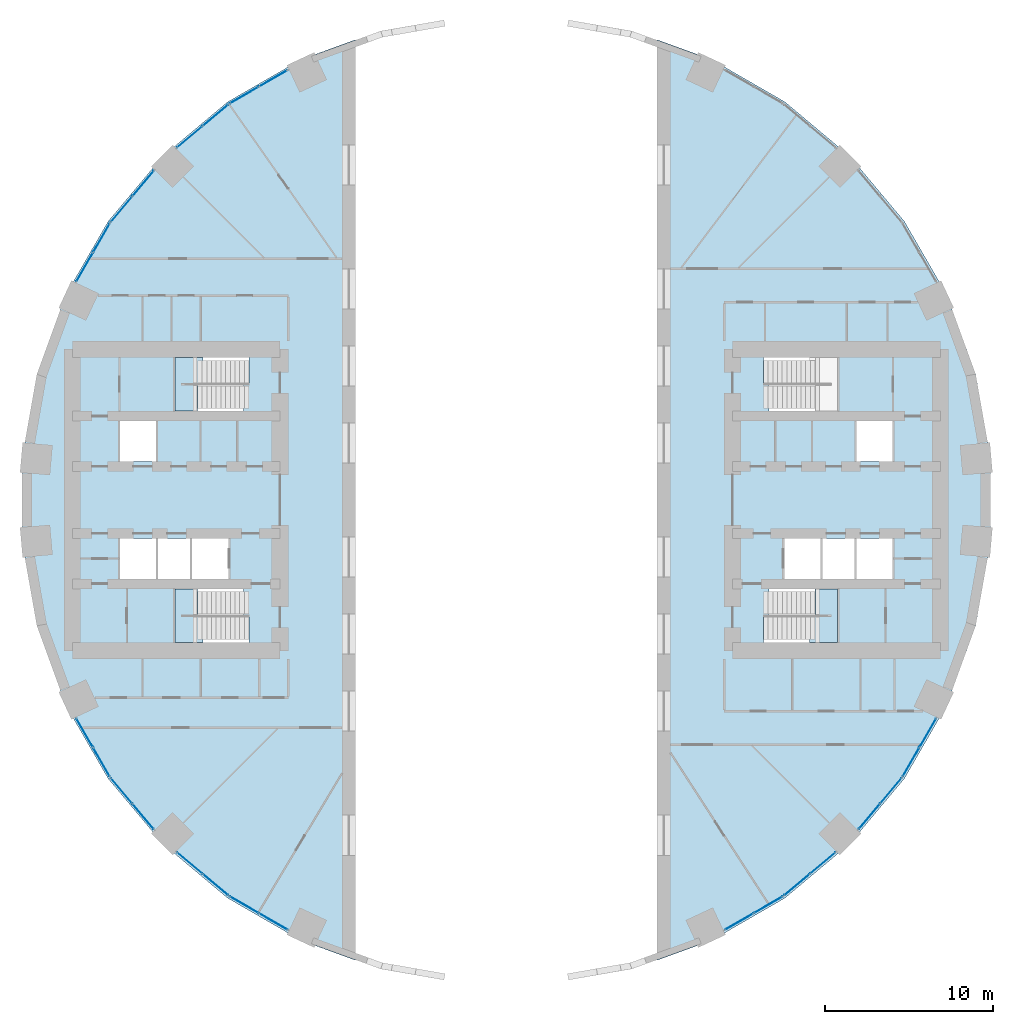
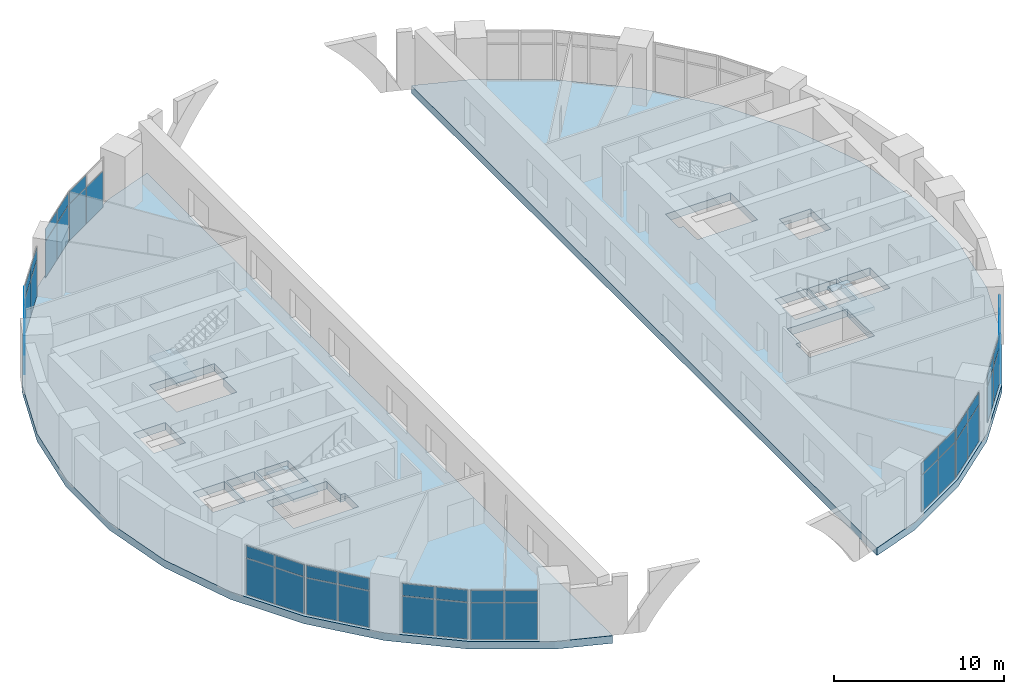
# One storey, part 6 of 13: 47 plates, 5 slabs, 15 elements without a shape of their own.
"""IFC4 building model written with IfcOpenShell, lengths in metres."""

from ifc_helpers import new_model, si_unit, direction, frame, origin, origin_2d, place, context, subcontext, project, spatial, polyline, rectangle, outline, extrude, material, layer, layer_set, type_object, element, aggregate, save


model = new_model("IFC4")

# Units and contexts
model_context = context("Model", 3, precision=1e-05, world=origin(), true_north=direction((0.0, 1.0)))
body_context = subcontext(model_context, "Body", "Model", "MODEL_VIEW")
ifc_project = project(units=[si_unit("LENGTHUNIT", "METRE"), si_unit("AREAUNIT", "SQUARE_METRE"), si_unit("VOLUMEUNIT", "CUBIC_METRE"), si_unit("PLANEANGLEUNIT", "RADIAN"), si_unit("MASSUNIT", "GRAM", prefix="KILO")], contexts=[model_context])

# Site, building, storey
site_placement = place(None, origin())
site = spatial("IfcSite", under=ifc_project, at=site_placement, CompositionType="ELEMENT")
building_placement = place(site_placement, origin())
building = spatial("IfcBuilding", under=site, at=building_placement, Name="Saqina Gate Tower", CompositionType="ELEMENT")
storey_placement = place(building_placement, frame((0.0, 0.0, 13.39990234375)))
storey = spatial("IfcBuildingStorey", under=building, at=storey_placement, Name="L03", CompositionType="ELEMENT", Elevation=13.39990234375)

# Curtain wall, plates
ifc_material_1 = material(Name="Aluminium glazing", Category="aluminium")
ifc_layer_1 = layer(ifc_material_1, 0.159912109375)
ifc_layer_set_1 = layer_set([ifc_layer_1], Name="CWT-1")
curtain_wall_type = type_object("IfcCurtainWallType", Name="CWT-1", PredefinedType="NOTDEFINED", material=ifc_layer_set_1)
curtain_wall_1_placement = place(storey_placement, origin())
curtain_wall_1 = element("IfcCurtainWall", 1, at=curtain_wall_1_placement, inside=storey, type_object=curtain_wall_type, Name="Podium shopfront facet 12", PredefinedType="NOTDEFINED")
ifc_material_2 = material(Name="Glass", Category="glass")
ifc_layer_2 = layer(ifc_material_2, 0.028076171875)
ifc_layer_set_2 = layer_set([ifc_layer_2], Name="CWT-1P")
plate_type = type_object("IfcPlateType", Name="CWT-1P", PredefinedType="CURTAIN_PANEL", material=ifc_layer_set_2)
plate_1_placement = place(storey_placement, frame((-13.90283203125, 25.158935546875, 0.06005859375), z_axis=(0.0, 0.0, 1.0), x_axis=(-0.866017381415, -0.500013894893, 0.0)))
plate_1 = element("IfcPlate", 2, at=plate_1_placement, type_object=plate_type, Name="CW1-12 panel 1.1", PredefinedType="CURTAIN_PANEL", context=body_context, shape_type="SweptSolid", body=[
    extrude(rectangle(XDim=1.944580078125, YDim=0.028076171875, at=origin_2d()), origin(), (0.0, 0.0, 1.0), 2.610107421875),
])
plate_2_placement = place(storey_placement, frame((-15.638671875, 24.15673828125, 0.06005859375), z_axis=(0.0, 0.0, 1.0), x_axis=(-0.866017381415, -0.500013894893, 0.0)))
plate_2 = element("IfcPlate", 3, at=plate_2_placement, type_object=plate_type, Name="CW1-12 panel 2.1", PredefinedType="CURTAIN_PANEL", context=body_context, shape_type="SweptSolid", body=[
    extrude(rectangle(XDim=1.944580078125, YDim=0.028076171875, at=origin_2d()), origin(), (0.0, 0.0, 1.0), 2.610107421875),
])
plate_3_placement = place(storey_placement, frame((-15.638671875, 24.15673828125, 2.72998046875), z_axis=(0.0, 0.0, 1.0), x_axis=(-0.866017381415, -0.500013894893, 0.0)))
plate_3 = element("IfcPlate", 4, at=plate_3_placement, type_object=plate_type, Name="CW1-12 panel 2.2", PredefinedType="CURTAIN_PANEL", context=body_context, shape_type="SweptSolid", body=[
    extrude(rectangle(XDim=1.944580078125, YDim=0.028076171875, at=origin_2d()), origin(), (0.0, 0.0, 1.0), 0.860107421875),
])
aggregate(curtain_wall_1, [plate_1, plate_2, plate_3])

curtain_wall_2_placement = place(storey_placement, origin())
curtain_wall_2 = element("IfcCurtainWall", 5, at=curtain_wall_2_placement, inside=storey, type_object=curtain_wall_type, Name="Podium shopfront facet 13", PredefinedType="NOTDEFINED")
plate_4_placement = place(storey_placement, frame((-17.35107421875, 22.957763671875, 0.06005859375), z_axis=(0.0, 0.0, 1.0), x_axis=(-0.766051396473, -0.642779322911, 0.0)))
plate_4 = element("IfcPlate", 6, at=plate_4_placement, type_object=plate_type, Name="CW1-13 panel 1.1", PredefinedType="CURTAIN_PANEL", context=body_context, shape_type="SweptSolid", body=[
    extrude(rectangle(XDim=1.944580078125, YDim=0.028076171875, at=origin_2d()), origin(), (0.0, 0.0, 1.0), 2.610107421875),
])
plate_5_placement = place(storey_placement, frame((-17.35107421875, 22.957763671875, 2.72998046875), z_axis=(0.0, 0.0, 1.0), x_axis=(-0.766051396473, -0.642779322911, 0.0)))
plate_5 = element("IfcPlate", 7, at=plate_5_placement, type_object=plate_type, Name="CW1-13 panel 1.2", PredefinedType="CURTAIN_PANEL", context=body_context, shape_type="SweptSolid", body=[
    extrude(rectangle(XDim=1.944580078125, YDim=0.028076171875, at=origin_2d()), origin(), (0.0, 0.0, 1.0), 0.860107421875),
])
plate_6_placement = place(storey_placement, frame((-18.88671875, 21.669189453125, 0.06005859375), z_axis=(0.0, 0.0, 1.0), x_axis=(-0.766051396473, -0.642779322911, 0.0)))
plate_6 = element("IfcPlate", 8, at=plate_6_placement, type_object=plate_type, Name="CW1-13 panel 2.1", PredefinedType="CURTAIN_PANEL", context=body_context, shape_type="SweptSolid", body=[
    extrude(rectangle(XDim=1.944580078125, YDim=0.028076171875, at=origin_2d()), origin(), (0.0, 0.0, 1.0), 2.610107421875),
])
plate_7_placement = place(storey_placement, frame((-18.88671875, 21.669189453125, 2.72998046875), z_axis=(0.0, 0.0, 1.0), x_axis=(-0.766051396473, -0.642779322911, 0.0)))
plate_7 = element("IfcPlate", 9, at=plate_7_placement, type_object=plate_type, Name="CW1-13 panel 2.2", PredefinedType="CURTAIN_PANEL", context=body_context, shape_type="SweptSolid", body=[
    extrude(rectangle(XDim=1.944580078125, YDim=0.028076171875, at=origin_2d()), origin(), (0.0, 0.0, 1.0), 0.860107421875),
])
aggregate(curtain_wall_2, [plate_4, plate_5, plate_6, plate_7])

curtain_wall_3_placement = place(storey_placement, origin())
curtain_wall_3 = element("IfcCurtainWall", 10, at=curtain_wall_3_placement, inside=storey, type_object=curtain_wall_type, Name="Podium shopfront facet 14", PredefinedType="NOTDEFINED")
plate_8_placement = place(storey_placement, frame((-21.669189453125, 18.88671875, 0.06005859375), z_axis=(0.0, 0.0, 1.0), x_axis=(-0.642779322911, -0.766051396473, 0.0)))
plate_8 = element("IfcPlate", 11, at=plate_8_placement, type_object=plate_type, Name="CW1-14 panel 1.1", PredefinedType="CURTAIN_PANEL", context=body_context, shape_type="SweptSolid", body=[
    extrude(rectangle(XDim=1.944580078125, YDim=0.028076171875, at=origin_2d()), origin(), (0.0, 0.0, 1.0), 2.610107421875),
])
plate_9_placement = place(storey_placement, frame((-21.669189453125, 18.88671875, 2.72998046875), z_axis=(0.0, 0.0, 1.0), x_axis=(-0.642779322911, -0.766051396473, 0.0)))
plate_9 = element("IfcPlate", 12, at=plate_9_placement, type_object=plate_type, Name="CW1-14 panel 1.2", PredefinedType="CURTAIN_PANEL", context=body_context, shape_type="SweptSolid", body=[
    extrude(rectangle(XDim=1.944580078125, YDim=0.028076171875, at=origin_2d()), origin(), (0.0, 0.0, 1.0), 0.860107421875),
])
plate_10_placement = place(storey_placement, frame((-22.957763671875, 17.35107421875, 0.06005859375), z_axis=(0.0, 0.0, 1.0), x_axis=(-0.642779322911, -0.766051396473, 0.0)))
plate_10 = element("IfcPlate", 13, at=plate_10_placement, type_object=plate_type, Name="CW1-14 panel 2.1", PredefinedType="CURTAIN_PANEL", context=body_context, shape_type="SweptSolid", body=[
    extrude(rectangle(XDim=1.944580078125, YDim=0.028076171875, at=origin_2d()), origin(), (0.0, 0.0, 1.0), 2.610107421875),
])
plate_11_placement = place(storey_placement, frame((-22.957763671875, 17.35107421875, 2.72998046875), z_axis=(0.0, 0.0, 1.0), x_axis=(-0.642779322911, -0.766051396473, 0.0)))
plate_11 = element("IfcPlate", 14, at=plate_11_placement, type_object=plate_type, Name="CW1-14 panel 2.2", PredefinedType="CURTAIN_PANEL", context=body_context, shape_type="SweptSolid", body=[
    extrude(rectangle(XDim=1.944580078125, YDim=0.028076171875, at=origin_2d()), origin(), (0.0, 0.0, 1.0), 0.860107421875),
])
aggregate(curtain_wall_3, [plate_8, plate_9, plate_10, plate_11])

curtain_wall_4_placement = place(storey_placement, origin())
curtain_wall_4 = element("IfcCurtainWall", 15, at=curtain_wall_4_placement, inside=storey, type_object=curtain_wall_type, Name="Podium shopfront facet 15", PredefinedType="NOTDEFINED")
plate_12_placement = place(storey_placement, frame((-24.15673828125, 15.638671875, 0.06005859375), z_axis=(0.0, 0.0, 1.0), x_axis=(-0.500013894893, -0.866017381415, 0.0)))
plate_12 = element("IfcPlate", 16, at=plate_12_placement, type_object=plate_type, Name="CW1-15 panel 1.1", PredefinedType="CURTAIN_PANEL", context=body_context, shape_type="SweptSolid", body=[
    extrude(rectangle(XDim=1.944580078125, YDim=0.028076171875, at=origin_2d()), origin(), (0.0, 0.0, 1.0), 2.610107421875),
])
plate_13_placement = place(storey_placement, frame((-24.15673828125, 15.638671875, 2.72998046875), z_axis=(0.0, 0.0, 1.0), x_axis=(-0.500013894893, -0.866017381415, 0.0)))
plate_13 = element("IfcPlate", 17, at=plate_13_placement, type_object=plate_type, Name="CW1-15 panel 1.2", PredefinedType="CURTAIN_PANEL", context=body_context, shape_type="SweptSolid", body=[
    extrude(rectangle(XDim=1.944580078125, YDim=0.028076171875, at=origin_2d()), origin(), (0.0, 0.0, 1.0), 0.860107421875),
])
plate_14_placement = place(storey_placement, frame((-25.158935546875, 13.90283203125, 0.06005859375), z_axis=(0.0, 0.0, 1.0), x_axis=(-0.500013894893, -0.866017381415, 0.0)))
plate_14 = element("IfcPlate", 18, at=plate_14_placement, type_object=plate_type, Name="CW1-15 panel 2.1", PredefinedType="CURTAIN_PANEL", context=body_context, shape_type="SweptSolid", body=[
    extrude(rectangle(XDim=1.944580078125, YDim=0.028076171875, at=origin_2d()), origin(), (0.0, 0.0, 1.0), 2.610107421875),
])
plate_15_placement = place(storey_placement, frame((-25.158935546875, 13.90283203125, 2.72998046875), z_axis=(0.0, 0.0, 1.0), x_axis=(-0.500013894893, -0.866017381415, 0.0)))
plate_15 = element("IfcPlate", 19, at=plate_15_placement, type_object=plate_type, Name="CW1-15 panel 2.2", PredefinedType="CURTAIN_PANEL", context=body_context, shape_type="SweptSolid", body=[
    extrude(rectangle(XDim=1.944580078125, YDim=0.028076171875, at=origin_2d()), origin(), (0.0, 0.0, 1.0), 0.860107421875),
])
aggregate(curtain_wall_4, [plate_12, plate_13, plate_14, plate_15])

curtain_wall_5_placement = place(storey_placement, origin())
curtain_wall_5 = element("IfcCurtainWall", 20, at=curtain_wall_5_placement, inside=storey, type_object=curtain_wall_type, Name="Podium shopfront facet 21", PredefinedType="NOTDEFINED")
plate_16_placement = place(storey_placement, frame((-25.158935546875, -13.90283203125, 0.06005859375), z_axis=(0.0, 0.0, 1.0), x_axis=(0.500013894893, -0.866017381415, 0.0)))
plate_16 = element("IfcPlate", 21, at=plate_16_placement, type_object=plate_type, Name="CW1-21 panel 1.1", PredefinedType="CURTAIN_PANEL", context=body_context, shape_type="SweptSolid", body=[
    extrude(rectangle(XDim=1.944580078125, YDim=0.028076171875, at=origin_2d()), origin(), (0.0, 0.0, 1.0), 2.610107421875),
])
plate_17_placement = place(storey_placement, frame((-25.158935546875, -13.90283203125, 2.72998046875), z_axis=(0.0, 0.0, 1.0), x_axis=(0.500013894893, -0.866017381415, 0.0)))
plate_17 = element("IfcPlate", 22, at=plate_17_placement, type_object=plate_type, Name="CW1-21 panel 1.2", PredefinedType="CURTAIN_PANEL", context=body_context, shape_type="SweptSolid", body=[
    extrude(rectangle(XDim=1.944580078125, YDim=0.028076171875, at=origin_2d()), origin(), (0.0, 0.0, 1.0), 0.860107421875),
])
plate_18_placement = place(storey_placement, frame((-24.15673828125, -15.638671875, 0.06005859375), z_axis=(0.0, 0.0, 1.0), x_axis=(0.500013894893, -0.866017381415, 0.0)))
plate_18 = element("IfcPlate", 23, at=plate_18_placement, type_object=plate_type, Name="CW1-21 panel 2.1", PredefinedType="CURTAIN_PANEL", context=body_context, shape_type="SweptSolid", body=[
    extrude(rectangle(XDim=1.944580078125, YDim=0.028076171875, at=origin_2d()), origin(), (0.0, 0.0, 1.0), 2.610107421875),
])
plate_19_placement = place(storey_placement, frame((-24.15673828125, -15.638671875, 2.72998046875), z_axis=(0.0, 0.0, 1.0), x_axis=(0.500013894893, -0.866017381415, 0.0)))
plate_19 = element("IfcPlate", 24, at=plate_19_placement, type_object=plate_type, Name="CW1-21 panel 2.2", PredefinedType="CURTAIN_PANEL", context=body_context, shape_type="SweptSolid", body=[
    extrude(rectangle(XDim=1.944580078125, YDim=0.028076171875, at=origin_2d()), origin(), (0.0, 0.0, 1.0), 0.860107421875),
])
aggregate(curtain_wall_5, [plate_16, plate_17, plate_18, plate_19])

curtain_wall_6_placement = place(storey_placement, origin())
curtain_wall_6 = element("IfcCurtainWall", 25, at=curtain_wall_6_placement, inside=storey, type_object=curtain_wall_type, Name="Podium shopfront facet 22", PredefinedType="NOTDEFINED")
plate_20_placement = place(storey_placement, frame((-22.957763671875, -17.35107421875, 0.06005859375), z_axis=(0.0, 0.0, 1.0), x_axis=(0.642779322911, -0.766051396473, 0.0)))
plate_20 = element("IfcPlate", 26, at=plate_20_placement, type_object=plate_type, Name="CW1-22 panel 1.1", PredefinedType="CURTAIN_PANEL", context=body_context, shape_type="SweptSolid", body=[
    extrude(rectangle(XDim=1.944580078125, YDim=0.028076171875, at=origin_2d()), origin(), (0.0, 0.0, 1.0), 2.610107421875),
])
plate_21_placement = place(storey_placement, frame((-22.957763671875, -17.35107421875, 2.72998046875), z_axis=(0.0, 0.0, 1.0), x_axis=(0.642779322911, -0.766051396473, 0.0)))
plate_21 = element("IfcPlate", 27, at=plate_21_placement, type_object=plate_type, Name="CW1-22 panel 1.2", PredefinedType="CURTAIN_PANEL", context=body_context, shape_type="SweptSolid", body=[
    extrude(rectangle(XDim=1.944580078125, YDim=0.028076171875, at=origin_2d()), origin(), (0.0, 0.0, 1.0), 0.860107421875),
])
plate_22_placement = place(storey_placement, frame((-21.669189453125, -18.88671875, 0.06005859375), z_axis=(0.0, 0.0, 1.0), x_axis=(0.642779322911, -0.766051396473, 0.0)))
plate_22 = element("IfcPlate", 28, at=plate_22_placement, type_object=plate_type, Name="CW1-22 panel 2.1", PredefinedType="CURTAIN_PANEL", context=body_context, shape_type="SweptSolid", body=[
    extrude(rectangle(XDim=1.944580078125, YDim=0.028076171875, at=origin_2d()), origin(), (0.0, 0.0, 1.0), 2.610107421875),
])
plate_23_placement = place(storey_placement, frame((-21.669189453125, -18.88671875, 2.72998046875), z_axis=(0.0, 0.0, 1.0), x_axis=(0.642779322911, -0.766051396473, 0.0)))
plate_23 = element("IfcPlate", 29, at=plate_23_placement, type_object=plate_type, Name="CW1-22 panel 2.2", PredefinedType="CURTAIN_PANEL", context=body_context, shape_type="SweptSolid", body=[
    extrude(rectangle(XDim=1.944580078125, YDim=0.028076171875, at=origin_2d()), origin(), (0.0, 0.0, 1.0), 0.860107421875),
])
aggregate(curtain_wall_6, [plate_20, plate_21, plate_22, plate_23])

curtain_wall_7_placement = place(storey_placement, origin())
curtain_wall_7 = element("IfcCurtainWall", 30, at=curtain_wall_7_placement, inside=storey, type_object=curtain_wall_type, Name="Podium shopfront facet 23", PredefinedType="NOTDEFINED")
plate_24_placement = place(storey_placement, frame((-18.88671875, -21.669189453125, 0.06005859375), z_axis=(0.0, 0.0, 1.0), x_axis=(0.766051396473, -0.642779322911, 0.0)))
plate_24 = element("IfcPlate", 31, at=plate_24_placement, type_object=plate_type, Name="CW1-23 panel 1.1", PredefinedType="CURTAIN_PANEL", context=body_context, shape_type="SweptSolid", body=[
    extrude(rectangle(XDim=1.944580078125, YDim=0.028076171875, at=origin_2d()), origin(), (0.0, 0.0, 1.0), 2.610107421875),
])
plate_25_placement = place(storey_placement, frame((-18.88671875, -21.669189453125, 2.72998046875), z_axis=(0.0, 0.0, 1.0), x_axis=(0.766051396473, -0.642779322911, 0.0)))
plate_25 = element("IfcPlate", 32, at=plate_25_placement, type_object=plate_type, Name="CW1-23 panel 1.2", PredefinedType="CURTAIN_PANEL", context=body_context, shape_type="SweptSolid", body=[
    extrude(rectangle(XDim=1.944580078125, YDim=0.028076171875, at=origin_2d()), origin(), (0.0, 0.0, 1.0), 0.860107421875),
])
plate_26_placement = place(storey_placement, frame((-17.35107421875, -22.957763671875, 0.06005859375), z_axis=(0.0, 0.0, 1.0), x_axis=(0.766051396473, -0.642779322911, 0.0)))
plate_26 = element("IfcPlate", 33, at=plate_26_placement, type_object=plate_type, Name="CW1-23 panel 2.1", PredefinedType="CURTAIN_PANEL", context=body_context, shape_type="SweptSolid", body=[
    extrude(rectangle(XDim=1.944580078125, YDim=0.028076171875, at=origin_2d()), origin(), (0.0, 0.0, 1.0), 2.610107421875),
])
plate_27_placement = place(storey_placement, frame((-17.35107421875, -22.957763671875, 2.72998046875), z_axis=(0.0, 0.0, 1.0), x_axis=(0.766051396473, -0.642779322911, 0.0)))
plate_27 = element("IfcPlate", 34, at=plate_27_placement, type_object=plate_type, Name="CW1-23 panel 2.2", PredefinedType="CURTAIN_PANEL", context=body_context, shape_type="SweptSolid", body=[
    extrude(rectangle(XDim=1.944580078125, YDim=0.028076171875, at=origin_2d()), origin(), (0.0, 0.0, 1.0), 0.860107421875),
])
aggregate(curtain_wall_7, [plate_24, plate_25, plate_26, plate_27])

curtain_wall_8_placement = place(storey_placement, origin())
curtain_wall_8 = element("IfcCurtainWall", 35, at=curtain_wall_8_placement, inside=storey, type_object=curtain_wall_type, Name="Podium shopfront facet 24", PredefinedType="NOTDEFINED")
plate_28_placement = place(storey_placement, frame((-15.638671875, -24.15673828125, 0.06005859375), z_axis=(0.0, 0.0, 1.0), x_axis=(0.866017381415, -0.500013894893, 0.0)))
plate_28 = element("IfcPlate", 36, at=plate_28_placement, type_object=plate_type, Name="CW1-24 panel 1.1", PredefinedType="CURTAIN_PANEL", context=body_context, shape_type="SweptSolid", body=[
    extrude(rectangle(XDim=1.944580078125, YDim=0.028076171875, at=origin_2d()), origin(), (0.0, 0.0, 1.0), 2.610107421875),
])
plate_29_placement = place(storey_placement, frame((-15.638671875, -24.15673828125, 2.72998046875), z_axis=(0.0, 0.0, 1.0), x_axis=(0.866017381415, -0.500013894893, 0.0)))
plate_29 = element("IfcPlate", 37, at=plate_29_placement, type_object=plate_type, Name="CW1-24 panel 1.2", PredefinedType="CURTAIN_PANEL", context=body_context, shape_type="SweptSolid", body=[
    extrude(rectangle(XDim=1.944580078125, YDim=0.028076171875, at=origin_2d()), origin(), (0.0, 0.0, 1.0), 0.860107421875),
])
plate_30_placement = place(storey_placement, frame((-13.90283203125, -25.158935546875, 0.06005859375), z_axis=(0.0, 0.0, 1.0), x_axis=(0.866017381415, -0.500013894893, 0.0)))
plate_30 = element("IfcPlate", 38, at=plate_30_placement, type_object=plate_type, Name="CW1-24 panel 2.1", PredefinedType="CURTAIN_PANEL", context=body_context, shape_type="SweptSolid", body=[
    extrude(rectangle(XDim=1.944580078125, YDim=0.028076171875, at=origin_2d()), origin(), (0.0, 0.0, 1.0), 2.610107421875),
])
plate_31_placement = place(storey_placement, frame((-13.90283203125, -25.158935546875, 2.72998046875), z_axis=(0.0, 0.0, 1.0), x_axis=(0.866017381415, -0.500013894893, 0.0)))
plate_31 = element("IfcPlate", 39, at=plate_31_placement, type_object=plate_type, Name="CW1-24 panel 2.2", PredefinedType="CURTAIN_PANEL", context=body_context, shape_type="SweptSolid", body=[
    extrude(rectangle(XDim=1.944580078125, YDim=0.028076171875, at=origin_2d()), origin(), (0.0, 0.0, 1.0), 0.860107421875),
])
aggregate(curtain_wall_8, [plate_28, plate_29, plate_30, plate_31])

curtain_wall_9_placement = place(storey_placement, origin())
curtain_wall_9 = element("IfcCurtainWall", 40, at=curtain_wall_9_placement, inside=storey, type_object=curtain_wall_type, Name="Podium shopfront facet 30", PredefinedType="NOTDEFINED")
plate_32_placement = place(storey_placement, frame((13.90283203125, -25.158935546875, 0.06005859375), z_axis=(0.0, 0.0, 1.0), x_axis=(0.866017381415, 0.500013894893, 0.0)))
plate_32 = element("IfcPlate", 41, at=plate_32_placement, type_object=plate_type, Name="CW1-30 panel 1.1", PredefinedType="CURTAIN_PANEL", context=body_context, shape_type="SweptSolid", body=[
    extrude(rectangle(XDim=1.944580078125, YDim=0.028076171875, at=origin_2d()), origin(), (0.0, 0.0, 1.0), 2.610107421875),
])
plate_33_placement = place(storey_placement, frame((13.90283203125, -25.158935546875, 2.72998046875), z_axis=(0.0, 0.0, 1.0), x_axis=(0.866017381415, 0.500013894893, 0.0)))
plate_33 = element("IfcPlate", 42, at=plate_33_placement, type_object=plate_type, Name="CW1-30 panel 1.2", PredefinedType="CURTAIN_PANEL", context=body_context, shape_type="SweptSolid", body=[
    extrude(rectangle(XDim=1.944580078125, YDim=0.028076171875, at=origin_2d()), origin(), (0.0, 0.0, 1.0), 0.860107421875),
])
plate_34_placement = place(storey_placement, frame((15.638671875, -24.15673828125, 0.06005859375), z_axis=(0.0, 0.0, 1.0), x_axis=(0.866017381415, 0.500013894893, 0.0)))
plate_34 = element("IfcPlate", 43, at=plate_34_placement, type_object=plate_type, Name="CW1-30 panel 2.1", PredefinedType="CURTAIN_PANEL", context=body_context, shape_type="SweptSolid", body=[
    extrude(rectangle(XDim=1.944580078125, YDim=0.028076171875, at=origin_2d()), origin(), (0.0, 0.0, 1.0), 2.610107421875),
])
plate_35_placement = place(storey_placement, frame((15.638671875, -24.15673828125, 2.72998046875), z_axis=(0.0, 0.0, 1.0), x_axis=(0.866017381415, 0.500013894893, 0.0)))
plate_35 = element("IfcPlate", 44, at=plate_35_placement, type_object=plate_type, Name="CW1-30 panel 2.2", PredefinedType="CURTAIN_PANEL", context=body_context, shape_type="SweptSolid", body=[
    extrude(rectangle(XDim=1.944580078125, YDim=0.028076171875, at=origin_2d()), origin(), (0.0, 0.0, 1.0), 0.860107421875),
])
aggregate(curtain_wall_9, [plate_32, plate_33, plate_34, plate_35])

curtain_wall_10_placement = place(storey_placement, origin())
curtain_wall_10 = element("IfcCurtainWall", 45, at=curtain_wall_10_placement, inside=storey, type_object=curtain_wall_type, Name="Podium shopfront facet 31", PredefinedType="NOTDEFINED")
plate_36_placement = place(storey_placement, frame((17.35107421875, -22.957763671875, 0.06005859375), z_axis=(0.0, 0.0, 1.0), x_axis=(0.766051396473, 0.642779322911, 0.0)))
plate_36 = element("IfcPlate", 46, at=plate_36_placement, type_object=plate_type, Name="CW1-31 panel 1.1", PredefinedType="CURTAIN_PANEL", context=body_context, shape_type="SweptSolid", body=[
    extrude(rectangle(XDim=1.944580078125, YDim=0.028076171875, at=origin_2d()), origin(), (0.0, 0.0, 1.0), 2.610107421875),
])
plate_37_placement = place(storey_placement, frame((17.35107421875, -22.957763671875, 2.72998046875), z_axis=(0.0, 0.0, 1.0), x_axis=(0.766051396473, 0.642779322911, 0.0)))
plate_37 = element("IfcPlate", 47, at=plate_37_placement, type_object=plate_type, Name="CW1-31 panel 1.2", PredefinedType="CURTAIN_PANEL", context=body_context, shape_type="SweptSolid", body=[
    extrude(rectangle(XDim=1.944580078125, YDim=0.028076171875, at=origin_2d()), origin(), (0.0, 0.0, 1.0), 0.860107421875),
])
plate_38_placement = place(storey_placement, frame((18.88671875, -21.669189453125, 0.06005859375), z_axis=(0.0, 0.0, 1.0), x_axis=(0.766051396473, 0.642779322911, 0.0)))
plate_38 = element("IfcPlate", 48, at=plate_38_placement, type_object=plate_type, Name="CW1-31 panel 2.1", PredefinedType="CURTAIN_PANEL", context=body_context, shape_type="SweptSolid", body=[
    extrude(rectangle(XDim=1.944580078125, YDim=0.028076171875, at=origin_2d()), origin(), (0.0, 0.0, 1.0), 2.610107421875),
])
plate_39_placement = place(storey_placement, frame((18.88671875, -21.669189453125, 2.72998046875), z_axis=(0.0, 0.0, 1.0), x_axis=(0.766051396473, 0.642779322911, 0.0)))
plate_39 = element("IfcPlate", 49, at=plate_39_placement, type_object=plate_type, Name="CW1-31 panel 2.2", PredefinedType="CURTAIN_PANEL", context=body_context, shape_type="SweptSolid", body=[
    extrude(rectangle(XDim=1.944580078125, YDim=0.028076171875, at=origin_2d()), origin(), (0.0, 0.0, 1.0), 0.860107421875),
])
aggregate(curtain_wall_10, [plate_36, plate_37, plate_38, plate_39])

curtain_wall_11_placement = place(storey_placement, origin())
curtain_wall_11 = element("IfcCurtainWall", 50, at=curtain_wall_11_placement, inside=storey, type_object=curtain_wall_type, Name="Podium shopfront facet 32", PredefinedType="NOTDEFINED")
plate_40_placement = place(storey_placement, frame((21.669189453125, -18.88671875, 0.06005859375), z_axis=(0.0, 0.0, 1.0), x_axis=(0.642779322911, 0.766051396473, 0.0)))
plate_40 = element("IfcPlate", 51, at=plate_40_placement, type_object=plate_type, Name="CW1-32 panel 1.1", PredefinedType="CURTAIN_PANEL", context=body_context, shape_type="SweptSolid", body=[
    extrude(rectangle(XDim=1.944580078125, YDim=0.028076171875, at=origin_2d()), origin(), (0.0, 0.0, 1.0), 2.610107421875),
])
plate_41_placement = place(storey_placement, frame((21.669189453125, -18.88671875, 2.72998046875), z_axis=(0.0, 0.0, 1.0), x_axis=(0.642779322911, 0.766051396473, 0.0)))
plate_41 = element("IfcPlate", 52, at=plate_41_placement, type_object=plate_type, Name="CW1-32 panel 1.2", PredefinedType="CURTAIN_PANEL", context=body_context, shape_type="SweptSolid", body=[
    extrude(rectangle(XDim=1.944580078125, YDim=0.028076171875, at=origin_2d()), origin(), (0.0, 0.0, 1.0), 0.860107421875),
])
plate_42_placement = place(storey_placement, frame((22.957763671875, -17.35107421875, 0.06005859375), z_axis=(0.0, 0.0, 1.0), x_axis=(0.642779322911, 0.766051396473, 0.0)))
plate_42 = element("IfcPlate", 53, at=plate_42_placement, type_object=plate_type, Name="CW1-32 panel 2.1", PredefinedType="CURTAIN_PANEL", context=body_context, shape_type="SweptSolid", body=[
    extrude(rectangle(XDim=1.944580078125, YDim=0.028076171875, at=origin_2d()), origin(), (0.0, 0.0, 1.0), 2.610107421875),
])
plate_43_placement = place(storey_placement, frame((22.957763671875, -17.35107421875, 2.72998046875), z_axis=(0.0, 0.0, 1.0), x_axis=(0.642779322911, 0.766051396473, 0.0)))
plate_43 = element("IfcPlate", 54, at=plate_43_placement, type_object=plate_type, Name="CW1-32 panel 2.2", PredefinedType="CURTAIN_PANEL", context=body_context, shape_type="SweptSolid", body=[
    extrude(rectangle(XDim=1.944580078125, YDim=0.028076171875, at=origin_2d()), origin(), (0.0, 0.0, 1.0), 0.860107421875),
])
aggregate(curtain_wall_11, [plate_40, plate_41, plate_42, plate_43])

curtain_wall_12_placement = place(storey_placement, origin())
curtain_wall_12 = element("IfcCurtainWall", 55, at=curtain_wall_12_placement, inside=storey, type_object=curtain_wall_type, Name="Podium shopfront facet 33", PredefinedType="NOTDEFINED")
plate_44_placement = place(storey_placement, frame((24.15673828125, -15.638671875, 0.06005859375), z_axis=(0.0, 0.0, 1.0), x_axis=(0.500013894893, 0.866017381415, 0.0)))
plate_44 = element("IfcPlate", 56, at=plate_44_placement, type_object=plate_type, Name="CW1-33 panel 1.1", PredefinedType="CURTAIN_PANEL", context=body_context, shape_type="SweptSolid", body=[
    extrude(rectangle(XDim=1.944580078125, YDim=0.028076171875, at=origin_2d()), origin(), (0.0, 0.0, 1.0), 2.610107421875),
])
plate_45_placement = place(storey_placement, frame((24.15673828125, -15.638671875, 2.72998046875), z_axis=(0.0, 0.0, 1.0), x_axis=(0.500013894893, 0.866017381415, 0.0)))
plate_45 = element("IfcPlate", 57, at=plate_45_placement, type_object=plate_type, Name="CW1-33 panel 1.2", PredefinedType="CURTAIN_PANEL", context=body_context, shape_type="SweptSolid", body=[
    extrude(rectangle(XDim=1.944580078125, YDim=0.028076171875, at=origin_2d()), origin(), (0.0, 0.0, 1.0), 0.860107421875),
])
plate_46_placement = place(storey_placement, frame((25.158935546875, -13.90283203125, 0.06005859375), z_axis=(0.0, 0.0, 1.0), x_axis=(0.500013894893, 0.866017381415, 0.0)))
plate_46 = element("IfcPlate", 58, at=plate_46_placement, type_object=plate_type, Name="CW1-33 panel 2.1", PredefinedType="CURTAIN_PANEL", context=body_context, shape_type="SweptSolid", body=[
    extrude(rectangle(XDim=1.944580078125, YDim=0.028076171875, at=origin_2d()), origin(), (0.0, 0.0, 1.0), 2.610107421875),
])
plate_47_placement = place(storey_placement, frame((25.158935546875, -13.90283203125, 2.72998046875), z_axis=(0.0, 0.0, 1.0), x_axis=(0.500013894893, 0.866017381415, 0.0)))
plate_47 = element("IfcPlate", 59, at=plate_47_placement, type_object=plate_type, Name="CW1-33 panel 2.2", PredefinedType="CURTAIN_PANEL", context=body_context, shape_type="SweptSolid", body=[
    extrude(rectangle(XDim=1.944580078125, YDim=0.028076171875, at=origin_2d()), origin(), (0.0, 0.0, 1.0), 0.860107421875),
])
aggregate(curtain_wall_12, [plate_44, plate_45, plate_46, plate_47])

# Stair, slab
ifc_material_3 = material(Name="Concrete C40/50", Category="concrete")
stair_type = type_object("IfcStairType", Name="EXIT STAIR", PredefinedType="HALF_TURN_STAIR", material=ifc_material_3)
stair_1_placement = place(storey_placement, origin())
stair_1 = element("IfcStair", 60, at=stair_1_placement, inside=storey, type_object=stair_type, Name="EXIT STAIR 2", PredefinedType="HALF_TURN_STAIR")
ifc_material_4 = material(Name="Concrete C40/50", Category="concrete")
ifc_layer_3 = layer(ifc_material_4, 0.25)
ifc_layer_set_3 = layer_set([ifc_layer_3], Name="Concrete C40/50")
slab_type_1 = type_object("IfcSlabType", Name="EXIT STAIR LANDING", PredefinedType="LANDING", material=ifc_layer_set_3)
slab_1_placement = place(storey_placement, frame((0.0, 0.0, 1.85009765625)))
slab_1 = element("IfcSlab", 61, at=slab_1_placement, type_object=slab_type_1, Name="EXIT STAIR 2 LANDING 1", PredefinedType="LANDING", context=body_context, shape_type="SweptSolid", body=[
    extrude(outline(polyline([(18.10693359375, -8.5), (18.10693359375, -6.89990234375), (18.425048828125, -6.89990234375), (18.425048828125, -5.300048828125), (19.780029296875, -5.300048828125), (19.780029296875, -8.5), (18.429931640625, -8.5), (18.425048828125, -8.5), (18.10693359375, -8.5)])), origin(), (0.0, 0.0, 1.0), 0.25),
])
aggregate(stair_1, [slab_1])

stair_2_placement = place(storey_placement, origin())
stair_2 = element("IfcStair", 62, at=stair_2_placement, inside=storey, type_object=stair_type, Name="EXIT STAIR 3", PredefinedType="HALF_TURN_STAIR")
slab_2_placement = place(storey_placement, frame((0.0, 0.0, 1.85009765625)))
slab_2 = element("IfcSlab", 63, at=slab_2_placement, type_object=slab_type_1, Name="EXIT STAIR 3 LANDING 1", PredefinedType="LANDING", context=body_context, shape_type="SweptSolid", body=[
    extrude(outline(polyline([(-18.425048828125, 5.300048828125), (-19.780029296875, 5.300048828125), (-19.780029296875, 8.5), (-18.429931640625, 8.5), (-18.425048828125, 8.5), (-18.10693359375, 8.5), (-18.10693359375, 6.89990234375), (-18.425048828125, 6.89990234375), (-18.425048828125, 5.300048828125)])), origin(), (0.0, 0.0, 1.0), 0.25),
])
aggregate(stair_2, [slab_2])

stair_3_placement = place(storey_placement, origin())
stair_3 = element("IfcStair", 64, at=stair_3_placement, inside=storey, type_object=stair_type, Name="EXIT STAIR 4", PredefinedType="HALF_TURN_STAIR")
slab_3_placement = place(storey_placement, frame((0.0, 0.0, 1.85009765625)))
slab_3 = element("IfcSlab", 65, at=slab_3_placement, type_object=slab_type_1, Name="EXIT STAIR 4 LANDING 1", PredefinedType="LANDING", context=body_context, shape_type="SweptSolid", body=[
    extrude(outline(polyline([(-18.10693359375, -6.89990234375), (-18.10693359375, -8.5), (-18.425048828125, -8.5), (-18.429931640625, -8.5), (-19.780029296875, -8.5), (-19.780029296875, -5.300048828125), (-18.425048828125, -5.300048828125), (-18.425048828125, -6.89990234375), (-18.10693359375, -6.89990234375)])), origin(), (0.0, 0.0, 1.0), 0.25),
])
aggregate(stair_3, [slab_3])

# Slabs
ifc_material_5 = material(Name="Concrete C40/50", Category="concrete")
ifc_layer_4 = layer(ifc_material_5, 0.550048828125)
ifc_layer_set_4 = layer_set([ifc_layer_4], Name="Concrete C40/50")
slab_type_2 = type_object("IfcSlabType", Name="STR-POST-TENSIONED FLAT PLATE FLOOR-550", PredefinedType="FLOOR", material=ifc_layer_set_4)
slab_4_placement = place(storey_placement, frame((0.0, 0.0, -0.5498046875)))
element("IfcSlab", 66, at=slab_4_placement, inside=storey, type_object=slab_type_2, Name="L03-SLB01", PredefinedType="FLOOR", context=body_context, shape_type="SweptSolid", body=[
    extrude(outline(polyline([(-16.6337890625, -23.75537109375), (-12.255859375, -26.282958984375), (-9.0, -27.468017578125), (-9.0, 27.468017578125), (-12.255859375, 26.282958984375), (-16.6337890625, 23.75537109375), (-20.506103515625, 20.506103515625), (-23.75537109375, 16.6337890625), (-26.282958984375, 12.255859375), (-28.011962890625, 7.505859375), (-28.8896484375, 2.527587890625), (-28.8896484375, -2.527587890625), (-28.011962890625, -7.505859375), (-26.282958984375, -12.255859375), (-23.75537109375, -16.6337890625), (-20.506103515625, -20.506103515625), (-16.6337890625, -23.75537109375)]), holes=[polyline([(-19.780029296875, -8.5), (-19.780029296875, -6.89990234375), (-19.780029296875, -5.300048828125), (-15.673095703125, -5.300048828125), (-15.673095703125, -6.89990234375), (-15.35498046875, -6.89990234375), (-15.35498046875, -8.5), (-19.780029296875, -8.5)]), polyline([(-20.89990234375, -2.300048828125), (-20.89990234375, -4.699951171875), (-23.06005859375, -4.699951171875), (-23.06005859375, -2.300048828125), (-20.89990234375, -2.300048828125)]), polyline([(-18.8701171875, -2.300048828125), (-18.8701171875, -4.699951171875), (-20.780029296875, -4.699951171875), (-20.780029296875, -2.300048828125), (-18.8701171875, -2.300048828125)]), polyline([(-16.590087890625, -2.300048828125), (-16.590087890625, -4.699951171875), (-18.75, -4.699951171875), (-18.75, -2.300048828125), (-16.590087890625, -2.300048828125)]), polyline([(-20.89990234375, 4.699951171875), (-20.89990234375, 2.300048828125), (-23.06005859375, 2.300048828125), (-23.06005859375, 4.699951171875), (-20.89990234375, 4.699951171875)]), polyline([(-19.780029296875, 6.89990234375), (-19.780029296875, 8.5), (-15.35498046875, 8.5), (-15.35498046875, 6.89990234375), (-15.673095703125, 6.89990234375), (-15.673095703125, 5.300048828125), (-19.780029296875, 5.300048828125), (-19.780029296875, 6.89990234375)])]), origin(), (0.0, 0.0, 1.0), 0.5498046875),
])
slab_5_placement = place(storey_placement, frame((0.0, 0.0, -0.5498046875)))
element("IfcSlab", 67, at=slab_5_placement, inside=storey, type_object=slab_type_2, Name="L03-SLB02", PredefinedType="FLOOR", context=body_context, shape_type="SweptSolid", body=[
    extrude(outline(polyline([(26.282958984375, -12.255859375), (28.011962890625, -7.505859375), (28.8896484375, -2.527587890625), (28.8896484375, 2.527587890625), (28.011962890625, 7.505859375), (26.282958984375, 12.255859375), (23.75537109375, 16.6337890625), (20.506103515625, 20.506103515625), (16.6337890625, 23.75537109375), (12.255859375, 26.282958984375), (9.0, 27.468017578125), (9.0, -27.468017578125), (12.255859375, -26.282958984375), (16.6337890625, -23.75537109375), (20.506103515625, -20.506103515625), (23.75537109375, -16.6337890625), (26.282958984375, -12.255859375)]), holes=[polyline([(15.35498046875, -6.89990234375), (15.673095703125, -6.89990234375), (15.673095703125, -5.300048828125), (19.780029296875, -5.300048828125), (19.780029296875, -6.89990234375), (19.780029296875, -8.5), (15.35498046875, -8.5), (15.35498046875, -6.89990234375)]), polyline([(18.75, -2.300048828125), (18.75, -4.699951171875), (16.590087890625, -4.699951171875), (16.590087890625, -2.300048828125), (18.75, -2.300048828125)]), polyline([(20.780029296875, -2.300048828125), (20.780029296875, -4.699951171875), (18.8701171875, -4.699951171875), (18.8701171875, -2.300048828125), (20.780029296875, -2.300048828125)]), polyline([(23.06005859375, -2.300048828125), (23.06005859375, -4.699951171875), (20.89990234375, -4.699951171875), (20.89990234375, -2.300048828125), (23.06005859375, -2.300048828125)]), polyline([(23.06005859375, 4.699951171875), (23.06005859375, 2.300048828125), (20.89990234375, 2.300048828125), (20.89990234375, 4.699951171875), (23.06005859375, 4.699951171875)]), polyline([(15.673095703125, 6.89990234375), (15.35498046875, 6.89990234375), (15.35498046875, 8.5), (19.780029296875, 8.5), (19.780029296875, 6.89990234375), (19.780029296875, 5.300048828125), (15.673095703125, 5.300048828125), (15.673095703125, 6.89990234375)])]), origin(), (0.0, 0.0, 1.0), 0.5498046875),
])

save(model, "model.ifc")
